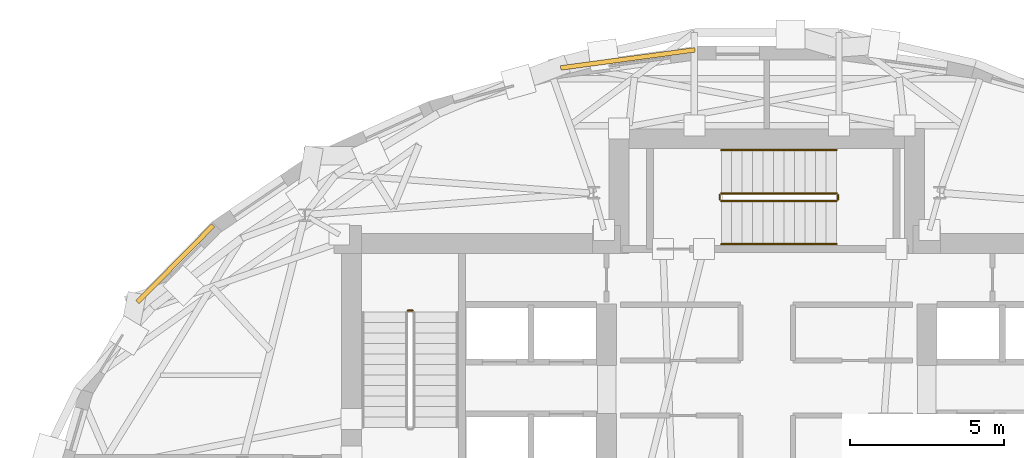
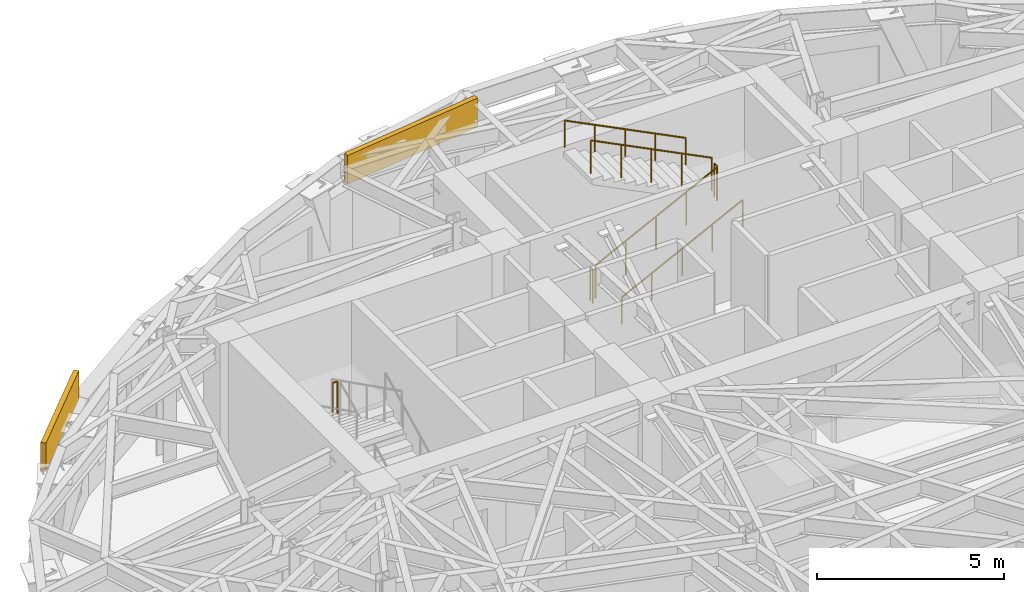
# One storey, part 14 of 15: 7 railings, 2 coverings.
"""IFC4 building model written with IfcOpenShell, lengths in metres."""

from ifc_helpers import new_model, si_unit, direction, frame, origin, origin_2d, place, context, subcontext, project, spatial, rectangle, circle, extrude, material, layer, layer_set, type_object, element, save


model = new_model("IFC4")

# Units and contexts
model_context = context("Model", 3, precision=1e-05, world=origin(), true_north=direction((0.0, 1.0)))
body_context = subcontext(model_context, "Body", "Model", "MODEL_VIEW")
ifc_project = project(units=[si_unit("LENGTHUNIT", "METRE"), si_unit("AREAUNIT", "SQUARE_METRE"), si_unit("VOLUMEUNIT", "CUBIC_METRE"), si_unit("PLANEANGLEUNIT", "RADIAN"), si_unit("MASSUNIT", "GRAM", prefix="KILO")], contexts=[model_context])

# Site, building, storey
site_placement = place(None, origin())
site = spatial("IfcSite", under=ifc_project, at=site_placement, CompositionType="ELEMENT")
building_placement = place(site_placement, origin())
building = spatial("IfcBuilding", under=site, at=building_placement, Name="Keldmark Tower", CompositionType="ELEMENT")
storey_placement = place(building_placement, frame((0.0, 0.0, 205.89990234375)))
storey = spatial("IfcBuildingStorey", under=building, at=storey_placement, Name="L57", CompositionType="ELEMENT", Elevation=205.89990234375)

# Coverings
ifc_material_1 = material(Name="Honed Kasota Buff Dolomitic Limestone", Category="masonry")
ifc_layer = layer(ifc_material_1, 0.074951171875)
ifc_layer_set = layer_set([ifc_layer], Name="Honed Kasota Buff Dolomitic Limestone")
covering_type = type_object("IfcCoveringType", Name="Kasota Buff Limestone Spandrel Cladding Band", PredefinedType="CLADDING", material=ifc_layer_set)
covering_1_placement = place(storey_placement, frame((-4.509033203125, 15.312744140625, 3.13916015625), z_axis=(0.0, 0.0, 1.0), x_axis=(-0.991027576728, -0.133657555584, 0.0)))
element("IfcCovering", 1, at=covering_1_placement, inside=storey, type_object=covering_type, Name="L57 Kasota Limestone Spandrel Band 09", PredefinedType="CLADDING", context=body_context, shape_type="SweptSolid", body=[
    extrude(rectangle(XDim=4.400390625, YDim=0.14990234375, at=origin_2d()), origin(), (0.0, 0.0, 1.0), 0.94091796875),
])
covering_2_placement = place(storey_placement, frame((-19.20166015625, 8.658447265625, 3.13916015625), z_axis=(0.0, 0.0, 1.0), x_axis=(-0.701892034663, -0.712283350695, 0.0)))
element("IfcCovering", 2, at=covering_2_placement, inside=storey, type_object=covering_type, Name="L57 Kasota Limestone Spandrel Band 13", PredefinedType="CLADDING", context=body_context, shape_type="SweptSolid", body=[
    extrude(rectangle(XDim=3.49560546875, YDim=0.14990234375, at=origin_2d()), origin(), (0.0, 0.0, 1.0), 0.94091796875),
])

# Railings
ifc_material_2 = material(Name="Painted Steel ASTM A500 Grade B", Category="steel")
railing_type_1 = type_object("IfcRailingType", Name="Painted Steel Stair Well Guard 1100 mm", PredefinedType="GUARDRAIL", material=ifc_material_2)
railing_1_placement = place(storey_placement, frame((-11.5, 7.139892578125, 2.050048828125)))
element("IfcRailing", 3, at=railing_1_placement, inside=storey, type_object=railing_type_1, Name="L57 ST1 stair guard 2", PredefinedType="GUARDRAIL", context=body_context, shape_type="SweptSolid", body=[
    extrude(circle(Radius=0.02392578125, at=origin_2d()), frame((0.0, 0.0, 1.076171875), z_axis=(-1.0, 0.0, 0.0), x_axis=(0.0, -1.0, 0.0)), (0.0, 0.0, 1.0), 0.14990234375),
    extrude(circle(Radius=0.02099609375, at=origin_2d()), origin(), (0.0, 0.0, 1.0), 1.052001953125),
    extrude(circle(Radius=0.02099609375, at=origin_2d()), frame((-0.14990234375, 0.0, 0.0)), (0.0, 0.0, 1.0), 1.052001953125),
])
railing_2_placement = place(storey_placement, frame((-1.47509765625, 10.699951171875, 0.1708984375)))
element("IfcRailing", 4, at=railing_2_placement, inside=storey, type_object=railing_type_1, Name="L57 ST3 stair guard 1", PredefinedType="GUARDRAIL", context=body_context, shape_type="SweptSolid", body=[
    extrude(circle(Radius=0.02392578125, at=origin_2d()), frame((0.0, 0.0, 1.076171875), z_axis=(0.893550535824, 0.0, 0.448962626427), x_axis=(0.0, 1.0, 0.0)), (0.0, 0.0, 1.0), 4.185546875),
    extrude(circle(Radius=0.02099609375, at=origin_2d()), origin(), (0.0, 0.0, 1.0), 1.052001953125),
    extrude(circle(Radius=0.02099609375, at=origin_2d()), frame((0.93505859375, 0.0, 0.4697265625)), (0.0, 0.0, 1.0), 1.052001953125),
    extrude(circle(Radius=0.02099609375, at=origin_2d()), frame((1.8701171875, 0.0, 0.939453125)), (0.0, 0.0, 1.0), 1.052001953125),
    extrude(circle(Radius=0.02099609375, at=origin_2d()), frame((2.804931640625, 0.0, 1.409423828125)), (0.0, 0.0, 1.0), 1.052001953125),
    extrude(circle(Radius=0.02099609375, at=origin_2d()), frame((3.739990234375, 0.0, 1.879150390625)), (0.0, 0.0, 1.0), 1.052001953125),
])
railing_3_placement = place(storey_placement, frame((2.31494140625, 10.75, 2.050048828125)))
element("IfcRailing", 5, at=railing_3_placement, inside=storey, type_object=railing_type_1, Name="L57 ST3 stair guard 2", PredefinedType="GUARDRAIL", context=body_context, shape_type="SweptSolid", body=[
    extrude(circle(Radius=0.02392578125, at=origin_2d()), frame((0.0, 0.0, 1.076171875), z_axis=(0.0, 1.0, 0.0), x_axis=(-1.0, 0.0, 0.0)), (0.0, 0.0, 1.0), 0.14990234375),
    extrude(circle(Radius=0.02099609375, at=origin_2d()), origin(), (0.0, 0.0, 1.0), 1.052001953125),
    extrude(circle(Radius=0.02099609375, at=origin_2d()), frame((0.0, 0.14990234375, 0.0)), (0.0, 0.0, 1.0), 1.052001953125),
])
railing_4_placement = place(storey_placement, frame((2.264892578125, 10.949951171875, 2.220947265625)))
element("IfcRailing", 6, at=railing_4_placement, inside=storey, type_object=railing_type_1, Name="L57 ST3 stair guard 3", PredefinedType="GUARDRAIL", context=body_context, shape_type="SweptSolid", body=[
    extrude(circle(Radius=0.02392578125, at=origin_2d()), frame((0.0, 0.0, 1.076171875), z_axis=(-0.893550535824, 0.0, 0.448962626427), x_axis=(0.0, -1.0, 0.0)), (0.0, 0.0, 1.0), 4.185546875),
    extrude(circle(Radius=0.02099609375, at=origin_2d()), origin(), (0.0, 0.0, 1.0), 1.052001953125),
    extrude(circle(Radius=0.02099609375, at=origin_2d()), frame((-0.93505859375, 0.0, 0.4697265625)), (0.0, 0.0, 1.0), 1.052001953125),
    extrude(circle(Radius=0.02099609375, at=origin_2d()), frame((-1.8701171875, 0.0, 0.939453125)), (0.0, 0.0, 1.0), 1.052001953125),
    extrude(circle(Radius=0.02099609375, at=origin_2d()), frame((-2.804931640625, 0.0, 1.409423828125)), (0.0, 0.0, 1.0), 1.052001953125),
    extrude(circle(Radius=0.02099609375, at=origin_2d()), frame((-3.739990234375, 0.0, 1.879150390625)), (0.0, 0.0, 1.0), 1.052001953125),
])
railing_5_placement = place(storey_placement, frame((-1.52490234375, 10.75, 0.0)))
element("IfcRailing", 7, at=railing_5_placement, inside=storey, type_object=railing_type_1, Name="L57 ST3 stair guard 4", PredefinedType="GUARDRAIL", context=body_context, shape_type="SweptSolid", body=[
    extrude(circle(Radius=0.02392578125, at=origin_2d()), frame((0.0, 0.0, 1.076171875), z_axis=(0.0, 1.0, 0.0), x_axis=(-1.0, 0.0, 0.0)), (0.0, 0.0, 1.0), 0.14990234375),
    extrude(circle(Radius=0.02099609375, at=origin_2d()), origin(), (0.0, 0.0, 1.0), 1.052001953125),
    extrude(circle(Radius=0.02099609375, at=origin_2d()), frame((0.0, 0.14990234375, 0.0)), (0.0, 0.0, 1.0), 1.052001953125),
])
ifc_material_3 = material(Name="Stainless Steel AISI 316L", Category="steel")
railing_type_2 = type_object("IfcRailingType", Name="Stainless Steel Stair Handrail 900 mm", PredefinedType="HANDRAIL", material=ifc_material_3)
railing_6_placement = place(storey_placement, frame((-1.47509765625, 9.300048828125, 0.1708984375)))
element("IfcRailing", 8, at=railing_6_placement, inside=storey, type_object=railing_type_2, Name="L57 ST3 stair handrail 1", PredefinedType="HANDRAIL", context=body_context, shape_type="SweptSolid", body=[
    extrude(circle(Radius=0.02392578125, at=origin_2d()), frame((0.0, 0.0, 0.8759765625), z_axis=(0.893550535824, 0.0, 0.448962626427), x_axis=(0.0, 1.0, 0.0)), (0.0, 0.0, 1.0), 4.185546875),
    extrude(circle(Radius=0.02099609375, at=origin_2d()), origin(), (0.0, 0.0, 1.0), 0.851806640625),
    extrude(circle(Radius=0.02099609375, at=origin_2d()), frame((0.93505859375, 0.0, 0.4697265625)), (0.0, 0.0, 1.0), 0.851806640625),
    extrude(circle(Radius=0.02099609375, at=origin_2d()), frame((1.8701171875, 0.0, 0.939453125)), (0.0, 0.0, 1.0), 0.851806640625),
    extrude(circle(Radius=0.02099609375, at=origin_2d()), frame((2.804931640625, 0.0, 1.409423828125)), (0.0, 0.0, 1.0), 0.851806640625),
    extrude(circle(Radius=0.02099609375, at=origin_2d()), frame((3.739990234375, 0.0, 1.879150390625)), (0.0, 0.0, 1.0), 0.851806640625),
])
railing_7_placement = place(storey_placement, frame((2.264892578125, 12.35009765625, 2.220947265625)))
element("IfcRailing", 9, at=railing_7_placement, inside=storey, type_object=railing_type_2, Name="L57 ST3 stair handrail 2", PredefinedType="HANDRAIL", context=body_context, shape_type="SweptSolid", body=[
    extrude(circle(Radius=0.02392578125, at=origin_2d()), frame((0.0, 0.0, 0.8759765625), z_axis=(-0.893550535824, 0.0, 0.448962626427), x_axis=(0.0, -1.0, 0.0)), (0.0, 0.0, 1.0), 4.185546875),
    extrude(circle(Radius=0.02099609375, at=origin_2d()), origin(), (0.0, 0.0, 1.0), 0.851806640625),
    extrude(circle(Radius=0.02099609375, at=origin_2d()), frame((-0.93505859375, 0.0, 0.4697265625)), (0.0, 0.0, 1.0), 0.851806640625),
    extrude(circle(Radius=0.02099609375, at=origin_2d()), frame((-1.8701171875, 0.0, 0.939453125)), (0.0, 0.0, 1.0), 0.851806640625),
    extrude(circle(Radius=0.02099609375, at=origin_2d()), frame((-2.804931640625, 0.0, 1.409423828125)), (0.0, 0.0, 1.0), 0.851806640625),
    extrude(circle(Radius=0.02099609375, at=origin_2d()), frame((-3.739990234375, 0.0, 1.879150390625)), (0.0, 0.0, 1.0), 0.851806640625),
])

save(model, "model.ifc")
